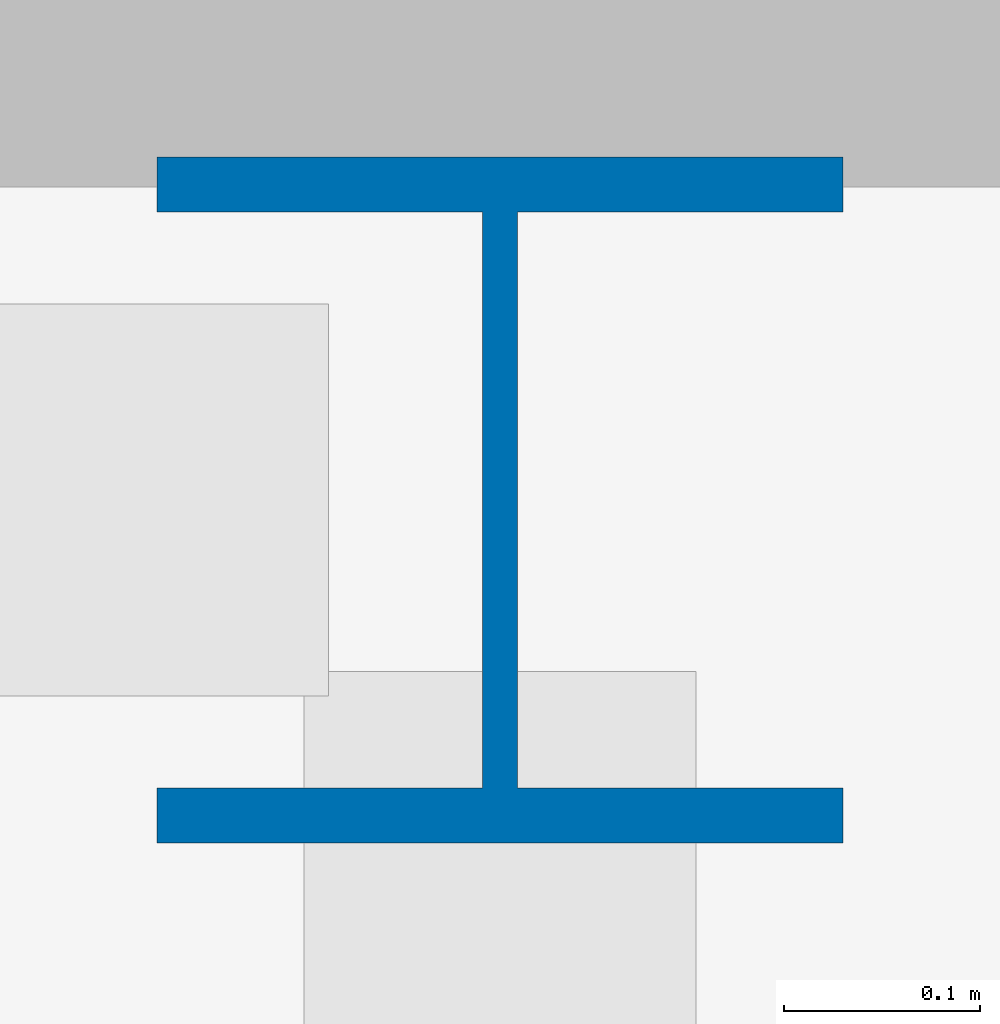
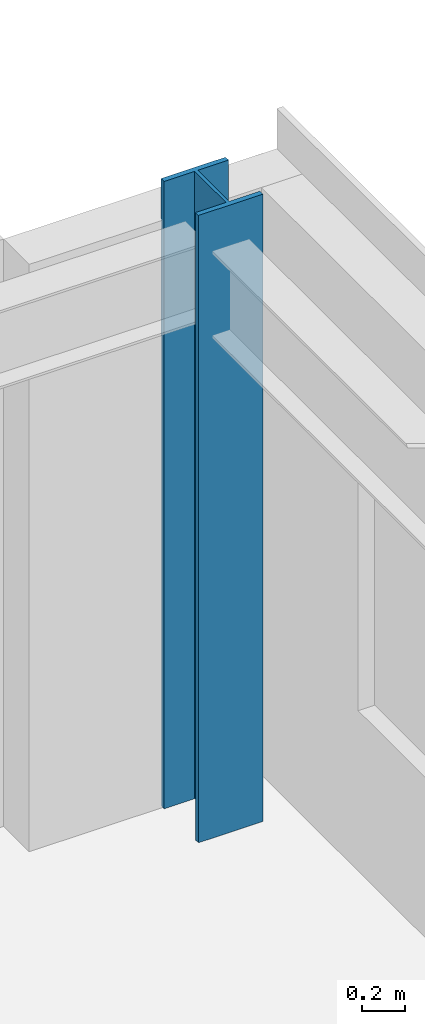
# One storey, part 4 of 21: 1 column.
"""IFC4 building model written with IfcOpenShell, lengths in metres."""

from ifc_helpers import new_model, si_unit, direction, frame, origin, origin_2d, place, context, subcontext, project, spatial, i_section, extrude, source, transform, mapped, material, material_profile, profile_set, type_object, element, save


model = new_model("IFC4")

# Units and contexts
model_context = context("Model", 3, precision=1e-05, world=origin(), true_north=direction((0.0, 1.0)))
body_context = subcontext(model_context, "Body", "Model", "MODEL_VIEW")
ifc_project = project(units=[si_unit("LENGTHUNIT", "METRE"), si_unit("AREAUNIT", "SQUARE_METRE"), si_unit("VOLUMEUNIT", "CUBIC_METRE"), si_unit("PLANEANGLEUNIT", "RADIAN"), si_unit("MASSUNIT", "GRAM", prefix="KILO")], contexts=[model_context])

# Site, building, storey
site_placement = place(None, origin())
site = spatial("IfcSite", under=ifc_project, at=site_placement, CompositionType="ELEMENT")
building_placement = place(site_placement, origin())
building = spatial("IfcBuilding", under=site, at=building_placement, Name="Trelvane Seafront Commons", CompositionType="ELEMENT")
storey_placement = place(building_placement, frame((0.0, 0.0, 252.300048828125)))
storey = spatial("IfcBuildingStorey", under=building, at=storey_placement, Name="L65", CompositionType="ELEMENT", Elevation=252.300048828125)

# Column
ifc_material = material(Name="Steel SM355 (S355)", Category="steel")
ifc_material_profile = material_profile(ifc_material, i_section(OverallWidth=0.35009765625, OverallDepth=0.35009765625, WebThickness=0.01806640625, FlangeThickness=0.028076171875, at=origin_2d()), Name="HD-350x350x18x28")
ifc_profile_set = profile_set([ifc_material_profile], Name="Steel SM355 (S355)")
column_type = type_object("IfcColumnType", Name="STR-COL-HD350", PredefinedType="COLUMN", material=ifc_profile_set)
shared_shape = source(origin(), body_context, "Body", "SweptSolid", [
    extrude(i_section(OverallWidth=0.35009765625, OverallDepth=0.35009765625, WebThickness=0.01806640625, FlangeThickness=0.028076171875, at=origin_2d()), origin(), (0.0, 0.0, 1.0), 3.599853515625),
])
column_placement = place(storey_placement, frame((65.60009765625, 45.10009765625, 0.0), z_axis=(0.0, 0.0, 1.0), x_axis=(1.0, 0.0, 0.0)))
element("IfcColumn", 1, at=column_placement, inside=storey, type_object=column_type, Name="L65 Column TC-CN65.6", PredefinedType="COLUMN", context=body_context, shape_type="MappedRepresentation", body=[
    mapped(shared_shape, transform((0.0, 0.0, 0.0), x_axis=(1.0, 0.0, 0.0), y_axis=(0.0, 1.0, 0.0), z_axis=(0.0, 0.0, 1.0), scale=1.0)),
])

save(model, "model.ifc")
